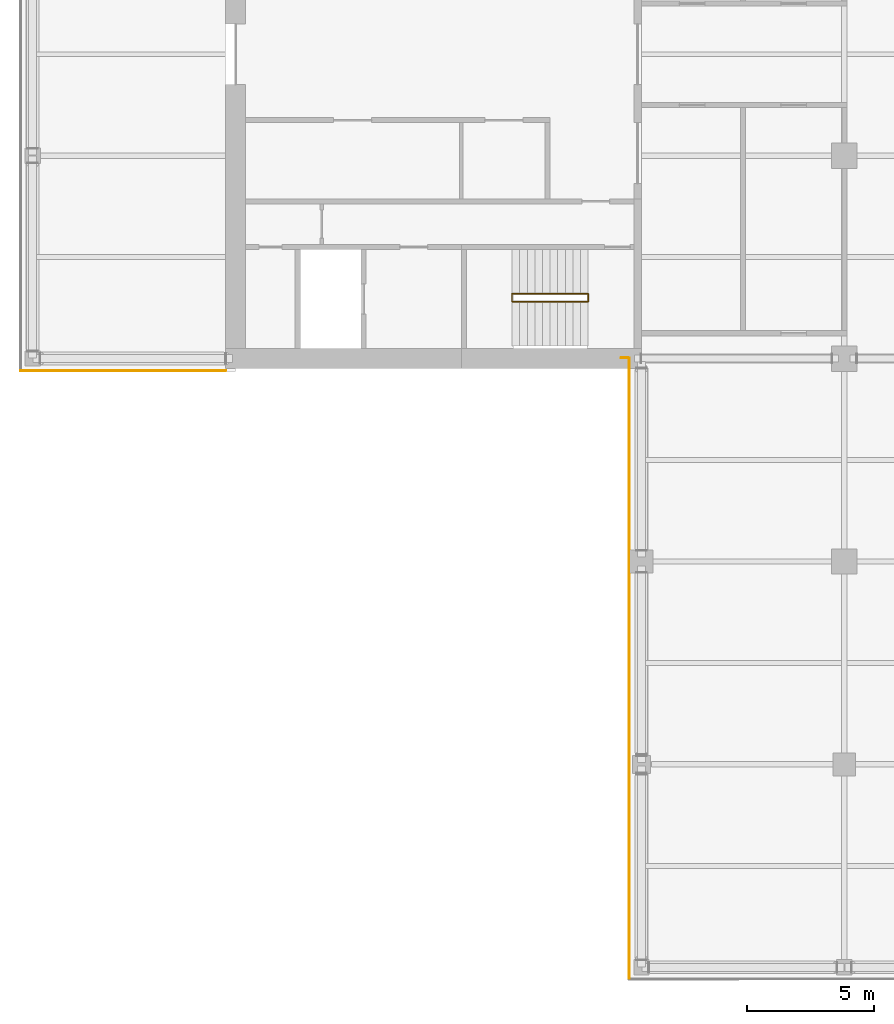
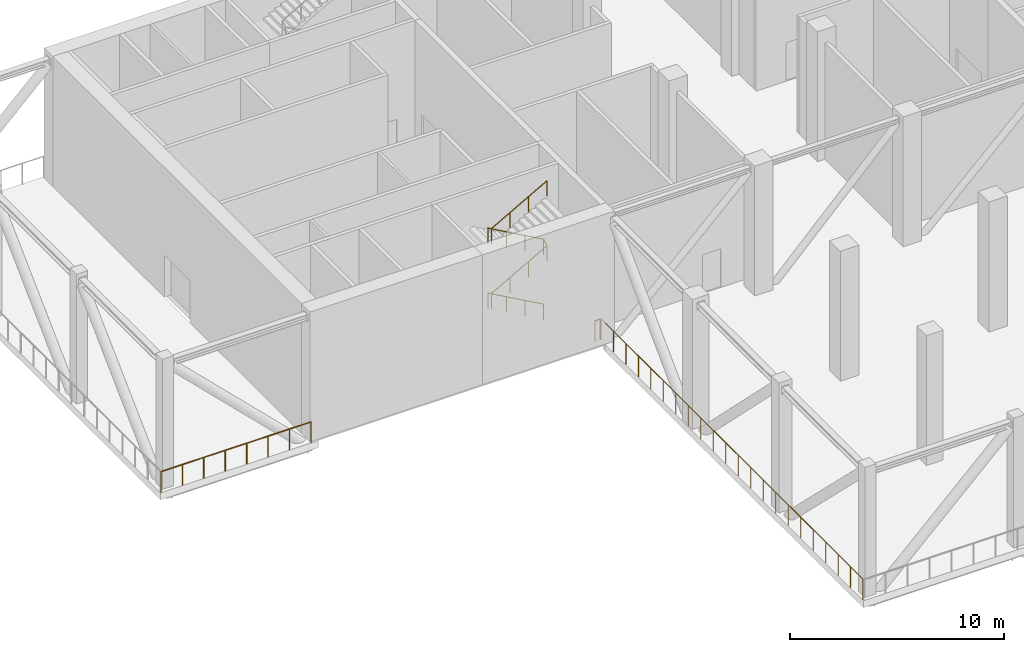
# One storey, part 14 of 18: 4 railings.
"""IFC4 building model written with IfcOpenShell, lengths in metres."""

from ifc_helpers import new_model, si_unit, direction, frame, origin, origin_2d, place, context, subcontext, project, spatial, circle, extrude, material, type_object, element, save


model = new_model("IFC4")

# Units and contexts
model_context = context("Model", 3, precision=1e-05, world=origin(), true_north=direction((0.0, 1.0)))
body_context = subcontext(model_context, "Body", "Model", "MODEL_VIEW")
ifc_project = project(units=[si_unit("LENGTHUNIT", "METRE"), si_unit("AREAUNIT", "SQUARE_METRE"), si_unit("VOLUMEUNIT", "CUBIC_METRE"), si_unit("PLANEANGLEUNIT", "RADIAN"), si_unit("MASSUNIT", "GRAM", prefix="KILO")], contexts=[model_context])

# Site, building, storey
site_placement = place(None, origin())
site = spatial("IfcSite", under=ifc_project, at=site_placement, CompositionType="ELEMENT")
building_placement = place(site_placement, origin())
building = spatial("IfcBuilding", under=site, at=building_placement, Name="Crosswind Convention Tower", CompositionType="ELEMENT")
storey_placement = place(building_placement, frame((0.0, 0.0, 105.300048828125)))
storey = spatial("IfcBuildingStorey", under=building, at=storey_placement, Name="L21", CompositionType="ELEMENT", Elevation=105.300048828125)

# Railings
ifc_material_1 = material(Name="Stainless steel", Category="steel")
railing_type_1 = type_object("IfcRailingType", Name="Stair handrail 900", PredefinedType="HANDRAIL", material=ifc_material_1)
railing_1_placement = place(storey_placement, frame((110.89990234375, 90.56005859375, 0.168212890625)))
element("IfcRailing", 1, at=railing_1_placement, inside=storey, type_object=railing_type_1, Name="Stair ST3 handrail L21", PredefinedType="HANDRAIL", context=body_context, shape_type="SweptSolid", body=[
    extrude(circle(Radius=0.02392578125, at=origin_2d()), frame((0.0, 0.0, 0.8759765625), z_axis=(-0.872302573547, 0.0, 0.488966481656), x_axis=(0.0, -1.0, 0.0)), (0.0, 0.0, 1.0), 3.439208984375),
    extrude(circle(Radius=0.02392578125, at=origin_2d()), frame((-3.0, 0.0, 2.5576171875), z_axis=(0.0, -0.885196349292, 0.465217608438), x_axis=(1.0, 0.0, 0.0)), (0.0, 0.0, 1.0), 0.361572265625),
    extrude(circle(Radius=0.02392578125, at=origin_2d()), frame((-3.0, -0.320068359375, 2.7255859375), z_axis=(0.872272294576, 0.0, 0.489020494575), x_axis=(0.0, 1.0, 0.0)), (0.0, 0.0, 1.0), 3.439208984375),
    extrude(circle(Radius=0.02392578125, at=origin_2d()), frame((0.0, -0.320068359375, 4.40771484375), z_axis=(0.0, 0.885196349292, 0.465217608438), x_axis=(-1.0, 0.0, 0.0)), (0.0, 0.0, 1.0), 0.361572265625),
    extrude(circle(Radius=0.02392578125, at=origin_2d()), frame((0.0, 0.0, 4.57568359375), z_axis=(-0.872272294576, 0.0, 0.489020494575), x_axis=(0.0, -1.0, 0.0)), (0.0, 0.0, 1.0), 3.439208984375),
    extrude(circle(Radius=0.02392578125, at=origin_2d()), frame((-3.0, 0.0, 6.2578125), z_axis=(0.0, -0.885474334664, 0.464688285468), x_axis=(1.0, 0.0, 0.0)), (0.0, 0.0, 1.0), 0.361572265625),
    extrude(circle(Radius=0.02392578125, at=origin_2d()), frame((-3.0, -0.320068359375, 6.42578125), z_axis=(0.872272294576, 0.0, 0.489020494575), x_axis=(0.0, 1.0, 0.0)), (0.0, 0.0, 1.0), 3.439208984375),
    extrude(circle(Radius=0.02099609375, at=origin_2d()), origin(), (0.0, 0.0, 1.0), 0.851806640625),
    extrude(circle(Radius=0.02099609375, at=origin_2d()), frame((-1.0, 0.0, 0.560546875)), (0.0, 0.0, 1.0), 0.851806640625),
    extrude(circle(Radius=0.02099609375, at=origin_2d()), frame((-2.0, 0.0, 1.12109375)), (0.0, 0.0, 1.0), 0.851806640625),
    extrude(circle(Radius=0.02099609375, at=origin_2d()), frame((-3.0, 0.0, 1.681640625)), (0.0, 0.0, 1.0), 0.851806640625),
    extrude(circle(Radius=0.02099609375, at=origin_2d()), frame((-3.0, -0.320068359375, 1.849853515625)), (0.0, 0.0, 1.0), 0.851806640625),
    extrude(circle(Radius=0.02099609375, at=origin_2d()), frame((-2.0, -0.320068359375, 2.410400390625)), (0.0, 0.0, 1.0), 0.851806640625),
    extrude(circle(Radius=0.02099609375, at=origin_2d()), frame((-1.0, -0.320068359375, 2.97119140625)), (0.0, 0.0, 1.0), 0.851806640625),
    extrude(circle(Radius=0.02099609375, at=origin_2d()), frame((0.0, -0.320068359375, 3.53173828125)), (0.0, 0.0, 1.0), 0.851806640625),
    extrude(circle(Radius=0.02099609375, at=origin_2d()), frame((0.0, 0.0, 3.699951171875)), (0.0, 0.0, 1.0), 0.851806640625),
    extrude(circle(Radius=0.02099609375, at=origin_2d()), frame((-1.0, 0.0, 4.260498046875)), (0.0, 0.0, 1.0), 0.851806640625),
    extrude(circle(Radius=0.02099609375, at=origin_2d()), frame((-2.0, 0.0, 4.8212890625)), (0.0, 0.0, 1.0), 0.851806640625),
    extrude(circle(Radius=0.02099609375, at=origin_2d()), frame((-3.0, 0.0, 5.3818359375)), (0.0, 0.0, 1.0), 0.851806640625),
    extrude(circle(Radius=0.02099609375, at=origin_2d()), frame((-3.0, -0.320068359375, 5.5498046875)), (0.0, 0.0, 1.0), 0.851806640625),
    extrude(circle(Radius=0.02099609375, at=origin_2d()), frame((-2.0, -0.320068359375, 6.1103515625)), (0.0, 0.0, 1.0), 0.851806640625),
    extrude(circle(Radius=0.02099609375, at=origin_2d()), frame((-1.0, -0.320068359375, 6.671142578125)), (0.0, 0.0, 1.0), 0.851806640625),
    extrude(circle(Radius=0.02099609375, at=origin_2d()), frame((0.0, -0.320068359375, 7.231689453125)), (0.0, 0.0, 1.0), 0.851806640625),
])
ifc_material_2 = material(Name="Stainless steel guard", Category="steel")
railing_type_2 = type_object("IfcRailingType", Name="WIND FLOOR GUARD 1200", PredefinedType="GUARDRAIL", material=ifc_material_2)
railing_2_placement = place(storey_placement, frame((96.610107421875, 87.52490234375, 0.0)))
element("IfcRailing", 2, at=railing_2_placement, inside=storey, type_object=railing_type_2, Name="R12 guard L21 1", PredefinedType="GUARDRAIL", context=body_context, shape_type="SweptSolid", body=[
    extrude(circle(Radius=0.01904296875, at=origin_2d()), frame((0.0, 0.0, 1.180908203125), z_axis=(-1.0, 0.0, 0.0), x_axis=(0.0, -1.0, 0.0)), (0.0, 0.0, 1.0), 8.085205078125),
    extrude(circle(Radius=0.01611328125, at=origin_2d()), origin(), (0.0, 0.0, 1.0), 1.161865234375),
    extrude(circle(Radius=0.01611328125, at=origin_2d()), frame((-1.155029296875, 0.0, 0.0)), (0.0, 0.0, 1.0), 1.161865234375),
    extrude(circle(Radius=0.01611328125, at=origin_2d()), frame((-2.31005859375, 0.0, 0.0)), (0.0, 0.0, 1.0), 1.161865234375),
    extrude(circle(Radius=0.01611328125, at=origin_2d()), frame((-3.465087890625, 0.0, 0.0)), (0.0, 0.0, 1.0), 1.161865234375),
    extrude(circle(Radius=0.01611328125, at=origin_2d()), frame((-4.6201171875, 0.0, 0.0)), (0.0, 0.0, 1.0), 1.161865234375),
    extrude(circle(Radius=0.01611328125, at=origin_2d()), frame((-5.775146484375, 0.0, 0.0)), (0.0, 0.0, 1.0), 1.161865234375),
    extrude(circle(Radius=0.01611328125, at=origin_2d()), frame((-6.93017578125, 0.0, 0.0)), (0.0, 0.0, 1.0), 1.161865234375),
    extrude(circle(Radius=0.01611328125, at=origin_2d()), frame((-8.085205078125, 0.0, 0.0)), (0.0, 0.0, 1.0), 1.161865234375),
])
railing_3_placement = place(storey_placement, frame((112.52490234375, 63.56494140625, 0.0)))
element("IfcRailing", 3, at=railing_3_placement, inside=storey, type_object=railing_type_2, Name="R12 guard L21 12", PredefinedType="GUARDRAIL", context=body_context, shape_type="SweptSolid", body=[
    extrude(circle(Radius=0.01904296875, at=origin_2d()), frame((0.0, 0.0, 1.180908203125), z_axis=(0.0, 1.0, 0.0), x_axis=(-1.0, 0.0, 0.0)), (0.0, 0.0, 1.0), 24.4599609375),
    extrude(circle(Radius=0.01611328125, at=origin_2d()), origin(), (0.0, 0.0, 1.0), 1.161865234375),
    extrude(circle(Radius=0.01611328125, at=origin_2d()), frame((0.0, 1.164794921875, 0.0)), (0.0, 0.0, 1.0), 1.161865234375),
    extrude(circle(Radius=0.01611328125, at=origin_2d()), frame((0.0, 2.32958984375, 0.0)), (0.0, 0.0, 1.0), 1.161865234375),
    extrude(circle(Radius=0.01611328125, at=origin_2d()), frame((0.0, 3.494384765625, 0.0)), (0.0, 0.0, 1.0), 1.161865234375),
    extrude(circle(Radius=0.01611328125, at=origin_2d()), frame((0.0, 4.658935546875, 0.0)), (0.0, 0.0, 1.0), 1.161865234375),
    extrude(circle(Radius=0.01611328125, at=origin_2d()), frame((0.0, 5.82373046875, 0.0)), (0.0, 0.0, 1.0), 1.161865234375),
    extrude(circle(Radius=0.01611328125, at=origin_2d()), frame((0.0, 6.988525390625, 0.0)), (0.0, 0.0, 1.0), 1.161865234375),
    extrude(circle(Radius=0.01611328125, at=origin_2d()), frame((0.0, 8.1533203125, 0.0)), (0.0, 0.0, 1.0), 1.161865234375),
    extrude(circle(Radius=0.01611328125, at=origin_2d()), frame((0.0, 9.318115234375, 0.0)), (0.0, 0.0, 1.0), 1.161865234375),
    extrude(circle(Radius=0.01611328125, at=origin_2d()), frame((0.0, 10.48291015625, 0.0)), (0.0, 0.0, 1.0), 1.161865234375),
    extrude(circle(Radius=0.01611328125, at=origin_2d()), frame((0.0, 11.647705078125, 0.0)), (0.0, 0.0, 1.0), 1.161865234375),
    extrude(circle(Radius=0.01611328125, at=origin_2d()), frame((0.0, 12.812255859375, 0.0)), (0.0, 0.0, 1.0), 1.161865234375),
    extrude(circle(Radius=0.01611328125, at=origin_2d()), frame((0.0, 13.97705078125, 0.0)), (0.0, 0.0, 1.0), 1.161865234375),
    extrude(circle(Radius=0.01611328125, at=origin_2d()), frame((0.0, 15.141845703125, 0.0)), (0.0, 0.0, 1.0), 1.161865234375),
    extrude(circle(Radius=0.01611328125, at=origin_2d()), frame((0.0, 16.306640625, 0.0)), (0.0, 0.0, 1.0), 1.161865234375),
    extrude(circle(Radius=0.01611328125, at=origin_2d()), frame((0.0, 17.471435546875, 0.0)), (0.0, 0.0, 1.0), 1.161865234375),
    extrude(circle(Radius=0.01611328125, at=origin_2d()), frame((0.0, 18.63623046875, 0.0)), (0.0, 0.0, 1.0), 1.161865234375),
    extrude(circle(Radius=0.01611328125, at=origin_2d()), frame((0.0, 19.801025390625, 0.0)), (0.0, 0.0, 1.0), 1.161865234375),
    extrude(circle(Radius=0.01611328125, at=origin_2d()), frame((0.0, 20.965576171875, 0.0)), (0.0, 0.0, 1.0), 1.161865234375),
    extrude(circle(Radius=0.01611328125, at=origin_2d()), frame((0.0, 22.13037109375, 0.0)), (0.0, 0.0, 1.0), 1.161865234375),
    extrude(circle(Radius=0.01611328125, at=origin_2d()), frame((0.0, 23.295166015625, 0.0)), (0.0, 0.0, 1.0), 1.161865234375),
    extrude(circle(Radius=0.01611328125, at=origin_2d()), frame((0.0, 24.4599609375, 0.0)), (0.0, 0.0, 1.0), 1.161865234375),
])
railing_4_placement = place(storey_placement, frame((112.485107421875, 88.02490234375, 0.0)))
element("IfcRailing", 4, at=railing_4_placement, inside=storey, type_object=railing_type_2, Name="R12 guard L21 13", PredefinedType="GUARDRAIL", context=body_context, shape_type="SweptSolid", body=[
    extrude(circle(Radius=0.01904296875, at=origin_2d()), frame((0.0, 0.0, 1.180908203125), z_axis=(-1.0, 0.0, 0.0), x_axis=(0.0, -1.0, 0.0)), (0.0, 0.0, 1.0), 0.28515625),
    extrude(circle(Radius=0.01611328125, at=origin_2d()), origin(), (0.0, 0.0, 1.0), 1.161865234375),
    extrude(circle(Radius=0.01611328125, at=origin_2d()), frame((-0.28515625, 0.0, 0.0)), (0.0, 0.0, 1.0), 1.161865234375),
])

save(model, "model.ifc")
